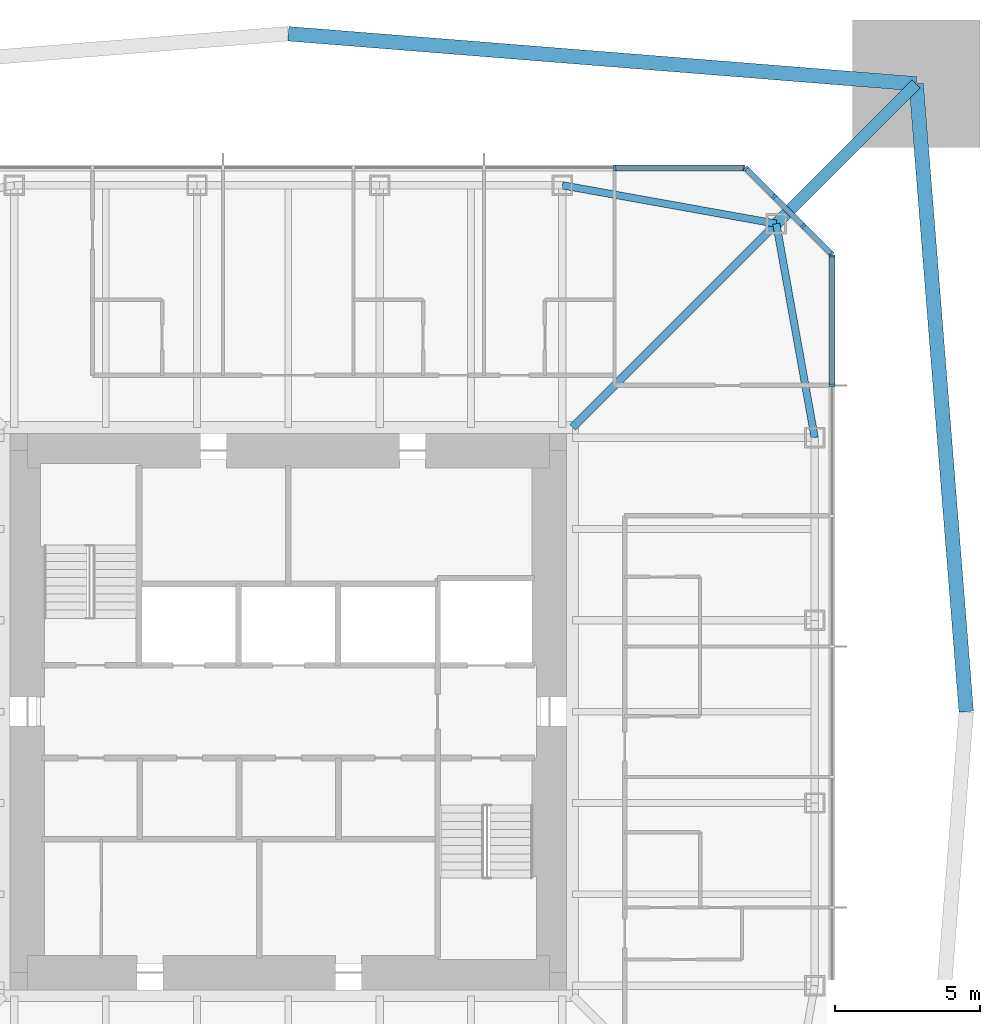
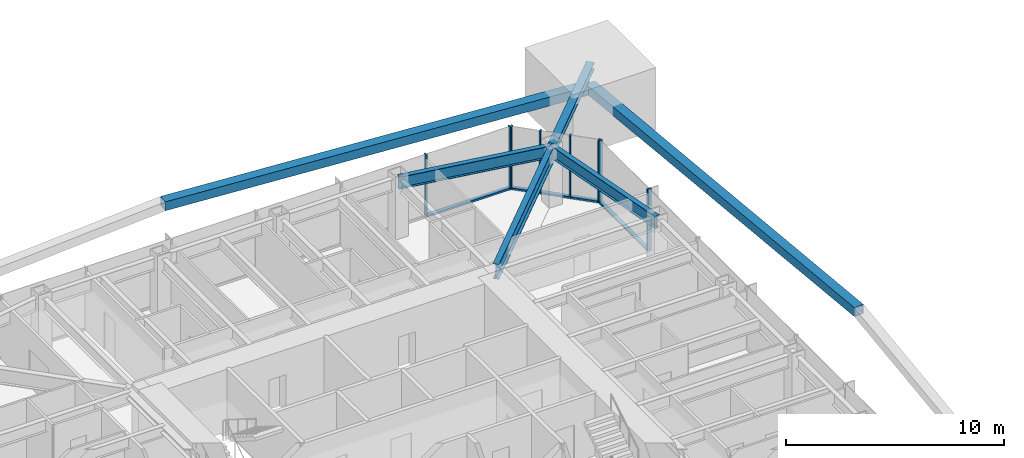
# One storey, part 6 of 13: 16 members, 3 beams, 3 elements without a shape of their own.
"""IFC4 building model written with IfcOpenShell, lengths in metres."""

from ifc_helpers import new_model, si_unit, direction, frame, origin, origin_2d, place, context, subcontext, project, spatial, rectangle, hollow_rectangle, i_section, extrude, material, material_profile, profile_set, type_object, element, aggregate, save


model = new_model("IFC4")

# Units and contexts
model_context = context("Model", 3, precision=1e-05, world=origin(), true_north=direction((0.0, 1.0)))
body_context = subcontext(model_context, "Body", "Model", "MODEL_VIEW")
ifc_project = project(units=[si_unit("LENGTHUNIT", "METRE"), si_unit("AREAUNIT", "SQUARE_METRE"), si_unit("VOLUMEUNIT", "CUBIC_METRE"), si_unit("PLANEANGLEUNIT", "RADIAN"), si_unit("MASSUNIT", "GRAM", prefix="KILO")], contexts=[model_context])

# Site, building, storey
site_placement = place(None, origin())
site = spatial("IfcSite", under=ifc_project, at=site_placement, CompositionType="ELEMENT")
building_placement = place(site_placement, origin())
building = spatial("IfcBuilding", under=site, at=building_placement, Name="Iwan Alto Co-Living Towers", CompositionType="ELEMENT")
storey_placement = place(building_placement, frame((0.0, 0.0, 160.0)))
storey = spatial("IfcBuildingStorey", under=building, at=storey_placement, Name="L43", CompositionType="ELEMENT", Elevation=160.0)

# Curtain wall, members
ifc_material_1 = material(Name="Bronze aluminium unitised frame", Category="aluminium")
curtain_wall_type_1 = type_object("IfcCurtainWallType", Name="CURTAIN WALL CW-A", PredefinedType="NOTDEFINED", material=ifc_material_1)
curtain_wall_1_placement = place(storey_placement, origin())
curtain_wall_1 = element("IfcCurtainWall", 1, at=curtain_wall_1_placement, inside=storey, type_object=curtain_wall_type_1, Name="T1 curtain wall E L43", PredefinedType="NOTDEFINED")
ifc_material_2 = material(Name="Aluminium 6063-T6 bronze anodised", Category="aluminium")
ifc_material_profile_1 = material_profile(ifc_material_2, rectangle(XDim=0.199951171875, YDim=0.080078125, at=origin_2d()), Name="AL 80X200")
ifc_profile_set_1 = profile_set([ifc_material_profile_1], Name="Aluminium 6063-T6 bronze anodised")
member_type_1 = type_object("IfcMemberType", Name="CW-A MULLION 80X200", PredefinedType="MULLION", material=ifc_profile_set_1)
member_1_placement = place(storey_placement, frame((18.75, 11.25, 0.0), z_axis=(0.0, 0.0, 1.0), x_axis=(-1.0, 0.0, 0.0)))
member_1 = element("IfcMember", 2, at=member_1_placement, type_object=member_type_1, Name="CW-A mullion 7", PredefinedType="MULLION", context=body_context, shape_type="SweptSolid", body=[
    extrude(rectangle(XDim=0.199951171875, YDim=0.080078125, at=origin_2d()), origin(), (0.0, 0.0, 1.0), 3.5),
])
member_2_placement = place(storey_placement, frame((18.75, 15.7099609375, 0.0), z_axis=(0.0, 0.0, 1.0), x_axis=(-1.0, 0.0, 0.0)))
member_2 = element("IfcMember", 3, at=member_2_placement, type_object=member_type_1, Name="CW-A mullion 8", PredefinedType="MULLION", context=body_context, shape_type="SweptSolid", body=[
    extrude(rectangle(XDim=0.199951171875, YDim=0.080078125, at=origin_2d()), origin(), (0.0, 0.0, 1.0), 3.5),
])

curtain_wall_2_placement = place(storey_placement, origin())
curtain_wall_2 = element("IfcCurtainWall", 4, at=curtain_wall_2_placement, inside=storey, type_object=curtain_wall_type_1, Name="T1 curtain wall N L43", PredefinedType="NOTDEFINED")
member_3_placement = place(storey_placement, frame((15.7099609375, 18.75, 0.0), z_axis=(0.0, 0.0, 1.0), x_axis=(0.0, -1.0, 0.0)))
member_3 = element("IfcMember", 5, at=member_3_placement, type_object=member_type_1, Name="CW-A mullion 1", PredefinedType="MULLION", context=body_context, shape_type="SweptSolid", body=[
    extrude(rectangle(XDim=0.199951171875, YDim=0.080078125, at=origin_2d()), origin(), (0.0, 0.0, 1.0), 3.5),
])
member_4_placement = place(storey_placement, frame((11.25, 18.75, 0.0), z_axis=(0.0, 0.0, 1.0), x_axis=(0.0, -1.0, 0.0)))
member_4 = element("IfcMember", 6, at=member_4_placement, type_object=member_type_1, Name="CW-A mullion 2", PredefinedType="MULLION", context=body_context, shape_type="SweptSolid", body=[
    extrude(rectangle(XDim=0.199951171875, YDim=0.080078125, at=origin_2d()), origin(), (0.0, 0.0, 1.0), 3.5),
])

# Member
ifc_material_3 = material(Name="Aluminium 6063-T6 bronze anodised", Category="aluminium")
ifc_material_profile_2 = material_profile(ifc_material_3, rectangle(XDim=0.199951171875, YDim=0.10009765625, at=origin_2d()), Name="AL 200X100")
ifc_profile_set_2 = profile_set([ifc_material_profile_2], Name="Aluminium 6063-T6 bronze anodised")
member_type_2 = type_object("IfcMemberType", Name="CW-A TRANSOM 200X100", PredefinedType="USERDEFINED", material=ifc_profile_set_2)
member_5_placement = place(storey_placement, frame((18.75, 11.2900390625, 0.050048828125), z_axis=(0.0, 1.0, 0.0), x_axis=(-1.0, 0.0, 0.0)))
member_5 = element("IfcMember", 7, at=member_5_placement, type_object=member_type_2, Name="CW-A transom 7.1", ObjectType="TRANSOM", PredefinedType="USERDEFINED", context=body_context, shape_type="SweptSolid", body=[
    extrude(rectangle(XDim=0.199951171875, YDim=0.10009765625, at=origin_2d()), origin(), (0.0, 0.0, 1.0), 4.3798828125),
])

aggregate(curtain_wall_1, [member_1, member_2, member_5])

member_6_placement = place(storey_placement, frame((15.669921875, 18.75, 0.050048828125), z_axis=(-1.0, 0.0, 0.0), x_axis=(0.0, -1.0, 0.0)))
member_6 = element("IfcMember", 8, at=member_6_placement, type_object=member_type_2, Name="CW-A transom 1.1", ObjectType="TRANSOM", PredefinedType="USERDEFINED", context=body_context, shape_type="SweptSolid", body=[
    extrude(rectangle(XDim=0.199951171875, YDim=0.10009765625, at=origin_2d()), origin(), (0.0, 0.0, 1.0), 4.3798828125),
])

aggregate(curtain_wall_2, [member_3, member_4, member_6])

# Curtain wall, members
ifc_material_4 = material(Name="Bronze aluminium unitised frame", Category="aluminium")
curtain_wall_type_2 = type_object("IfcCurtainWallType", Name="CURTAIN WALL CW-B", PredefinedType="NOTDEFINED", material=ifc_material_4)
curtain_wall_3_placement = place(storey_placement, origin())
curtain_wall_3 = element("IfcCurtainWall", 9, at=curtain_wall_3_placement, inside=storey, type_object=curtain_wall_type_2, Name="T1 chamfer curtain wall NE L43", PredefinedType="NOTDEFINED")
ifc_material_5 = material(Name="Aluminium 6063-T6 bronze anodised", Category="aluminium")
ifc_material_profile_3 = material_profile(ifc_material_5, rectangle(XDim=0.199951171875, YDim=0.080078125, at=origin_2d()), Name="AL 80X200")
ifc_profile_set_3 = profile_set([ifc_material_profile_3], Name="Aluminium 6063-T6 bronze anodised")
member_type_3 = type_object("IfcMemberType", Name="CW-B MULLION 80X200", PredefinedType="MULLION", material=ifc_profile_set_3)
member_7_placement = place(storey_placement, frame((18.7216796875, 15.7783203125, 0.0), z_axis=(0.0, 0.0, 1.0), x_axis=(-0.707106781187, -0.707106781187, 0.0)))
member_7 = element("IfcMember", 10, at=member_7_placement, type_object=member_type_3, Name="CW-B mullion 1", PredefinedType="MULLION", context=body_context, shape_type="SweptSolid", body=[
    extrude(rectangle(XDim=0.199951171875, YDim=0.080078125, at=origin_2d()), origin(), (0.0, 0.0, 1.0), 3.5),
])
member_8_placement = place(storey_placement, frame((17.75, 16.75, 0.0), z_axis=(0.0, 0.0, 1.0), x_axis=(-0.707106781187, -0.707106781187, 0.0)))
member_8 = element("IfcMember", 11, at=member_8_placement, type_object=member_type_3, Name="CW-B mullion 2", PredefinedType="MULLION", context=body_context, shape_type="SweptSolid", body=[
    extrude(rectangle(XDim=0.199951171875, YDim=0.080078125, at=origin_2d()), origin(), (0.0, 0.0, 1.0), 3.5),
])
member_9_placement = place(storey_placement, frame((16.75, 17.75, 0.0), z_axis=(0.0, 0.0, 1.0), x_axis=(-0.707106781187, -0.707106781187, 0.0)))
member_9 = element("IfcMember", 12, at=member_9_placement, type_object=member_type_3, Name="CW-B mullion 3", PredefinedType="MULLION", context=body_context, shape_type="SweptSolid", body=[
    extrude(rectangle(XDim=0.199951171875, YDim=0.080078125, at=origin_2d()), origin(), (0.0, 0.0, 1.0), 3.5),
])
member_10_placement = place(storey_placement, frame((15.7783203125, 18.7216796875, 0.0), z_axis=(0.0, 0.0, 1.0), x_axis=(-0.707106781187, -0.707106781187, 0.0)))
member_10 = element("IfcMember", 13, at=member_10_placement, type_object=member_type_3, Name="CW-B mullion 4", PredefinedType="MULLION", context=body_context, shape_type="SweptSolid", body=[
    extrude(rectangle(XDim=0.199951171875, YDim=0.080078125, at=origin_2d()), origin(), (0.0, 0.0, 1.0), 3.5),
])
ifc_material_6 = material(Name="Aluminium 6063-T6 bronze anodised", Category="aluminium")
ifc_material_profile_4 = material_profile(ifc_material_6, rectangle(XDim=0.199951171875, YDim=0.10009765625, at=origin_2d()), Name="AL 200X100")
ifc_profile_set_4 = profile_set([ifc_material_profile_4], Name="Aluminium 6063-T6 bronze anodised")
member_type_4 = type_object("IfcMemberType", Name="CW-B TRANSOM 200X100", PredefinedType="USERDEFINED", material=ifc_profile_set_4)
member_11_placement = place(storey_placement, frame((18.693359375, 15.806640625, 0.050048828125), z_axis=(-0.707106781187, 0.707106781187, 0.0), x_axis=(-0.707106781187, -0.707106781187, 0.0)))
member_11 = element("IfcMember", 14, at=member_11_placement, type_object=member_type_4, Name="CW-B transom 1.1", ObjectType="TRANSOM", PredefinedType="USERDEFINED", context=body_context, shape_type="SweptSolid", body=[
    extrude(rectangle(XDim=0.199951171875, YDim=0.10009765625, at=origin_2d()), origin(), (0.0, 0.0, 1.0), 1.2939453125),
])
member_12_placement = place(storey_placement, frame((17.7216796875, 16.7783203125, 0.050048828125), z_axis=(-0.707106781187, 0.707106781187, 0.0), x_axis=(-0.707106781187, -0.707106781187, 0.0)))
member_12 = element("IfcMember", 15, at=member_12_placement, type_object=member_type_4, Name="CW-B transom 2.1", ObjectType="TRANSOM", PredefinedType="USERDEFINED", context=body_context, shape_type="SweptSolid", body=[
    extrude(rectangle(XDim=0.199951171875, YDim=0.10009765625, at=origin_2d()), origin(), (0.0, 0.0, 1.0), 1.334228515625),
])
member_13_placement = place(storey_placement, frame((16.7216796875, 17.7783203125, 0.050048828125), z_axis=(-0.707106781187, 0.707106781187, 0.0), x_axis=(-0.707106781187, -0.707106781187, 0.0)))
member_13 = element("IfcMember", 16, at=member_13_placement, type_object=member_type_4, Name="CW-B transom 3.1", ObjectType="TRANSOM", PredefinedType="USERDEFINED", context=body_context, shape_type="SweptSolid", body=[
    extrude(rectangle(XDim=0.199951171875, YDim=0.10009765625, at=origin_2d()), origin(), (0.0, 0.0, 1.0), 1.2939453125),
])
aggregate(curtain_wall_3, [member_7, member_8, member_9, member_10, member_11, member_12, member_13])

# Beams
ifc_material_7 = material(Name="Steel ASTM A992 Gr 50", Category="steel")
ifc_material_profile_5 = material_profile(ifc_material_7, i_section(OverallWidth=0.2919921875, OverallDepth=0.8408203125, WebThickness=0.0146484375, FlangeThickness=0.021728515625, at=origin_2d()), Name="W33X130")
ifc_profile_set_5 = profile_set([ifc_material_profile_5], Name="Steel ASTM A992 Gr 50")
beam_type_1 = type_object("IfcBeamType", Name="T1 CORNER GIRDER W33X130", PredefinedType="BEAM", material=ifc_profile_set_5)
beam_placement = place(storey_placement, frame((16.82568359375, 16.82568359375, 2.849609375), z_axis=(-0.707106781187, -0.707106781187, 0.0), x_axis=(0.707106781187, -0.707106781187, 0.0)))
element("IfcBeam", 17, at=beam_placement, inside=storey, type_object=beam_type_1, Name="T1 corner girder CNE L44", PredefinedType="BEAM", context=body_context, shape_type="SweptSolid", body=[
    extrude(i_section(OverallWidth=0.2919921875, OverallDepth=0.8408203125, WebThickness=0.0146484375, FlangeThickness=0.021728515625, at=origin_2d()), origin(), (0.0, 0.0, 1.0), 9.936767578125),
])
ifc_material_8 = material(Name="Steel ASTM A992 Gr 50", Category="steel")
ifc_material_profile_6 = material_profile(ifc_material_8, i_section(OverallWidth=0.25390625, OverallDepth=0.683349609375, WebThickness=0.012451171875, FlangeThickness=0.018798828125, at=origin_2d()), Name="W27X94")
ifc_profile_set_6 = profile_set([ifc_material_profile_6], Name="Steel ASTM A992 Gr 50")
beam_type_2 = type_object("IfcBeamType", Name="T1 EDGE BEAM W27X94", PredefinedType="BEAM", material=ifc_profile_set_6)
for number, where, z_axis, x_axis, name in (
    (18, (18.14990234375, 9.449951171875, 2.928466796875), (-0.17671181143, 0.98426263553, 0.0), (-0.98426263553, -0.17671181143, 0.0), "T1 edge beam E4 L44"),
    (19, (16.82568359375, 16.82568359375, 2.928466796875), (-0.98426263553, 0.17671181143, 0.0), (-0.17671181143, -0.98426263553, 0.0), "T1 edge beam CNE L44"),
):
    element("IfcBeam", number, at=place(storey_placement, frame(where, z_axis=z_axis, x_axis=x_axis)), inside=storey, type_object=beam_type_2, Name=name, PredefinedType="BEAM", context=body_context, shape_type="SweptSolid", body=[
        extrude(i_section(OverallWidth=0.25390625, OverallDepth=0.683349609375, WebThickness=0.012451171875, FlangeThickness=0.018798828125, at=origin_2d()), origin(), (0.0, 0.0, 1.0), 7.49365234375),
    ])

# Members
ifc_material_9 = material(Name="Steel ASTM A992 Gr 50", Category="steel")
ifc_material_profile_7 = material_profile(ifc_material_9, i_section(OverallWidth=0.393798828125, OverallDepth=0.3759765625, WebThickness=0.017333984375, FlangeThickness=0.027587890625, at=origin_2d()), Name="W14X145")
ifc_profile_set_7 = profile_set([ifc_material_profile_7], Name="Steel ASTM A992 Gr 50")
member_type_5 = type_object("IfcMemberType", Name="T1 MEGA COLUMN FLOOR TIE W14X145", PredefinedType="STRUT", material=ifc_profile_set_7)
member_14_placement = place(storey_placement, frame((21.64990234375, 21.64990234375, 3.08203125), z_axis=(-0.707106781187, -0.707106781187, 0.0), x_axis=(0.707106781187, -0.707106781187, 0.0)))
element("IfcMember", 20, at=member_14_placement, inside=storey, type_object=member_type_5, Name="T1 mega column floor tie NE L44", PredefinedType="STRUT", context=body_context, shape_type="SweptSolid", body=[
    extrude(i_section(OverallWidth=0.393798828125, OverallDepth=0.3759765625, WebThickness=0.017333984375, FlangeThickness=0.027587890625, at=origin_2d()), origin(), (0.0, 0.0, 1.0), 6.822509765625),
])
ifc_material_10 = material(Name="Steel ASTM A572 Gr 50", Category="steel")
ifc_material_profile_8 = material_profile(ifc_material_10, hollow_rectangle(XDim=0.5, YDim=0.5, WallThickness=0.031982421875, at=origin_2d()), Name="BOX 500X500X32")
ifc_profile_set_8 = profile_set([ifc_material_profile_8], Name="Steel ASTM A572 Gr 50")
member_type_6 = type_object("IfcMemberType", Name="T1 MEGA TIE BOX 500X500X32", PredefinedType="STRUT", material=ifc_profile_set_8)
for number, where, z_axis, x_axis, name in (
    (21, (23.37548828125, 0.0, 1.85498046875), (-0.07945212803, 0.996838682712, 0.0), (-0.996838682712, -0.07945212803, 0.0), "T1 mega tie Z3A E 2"),
    (22, (21.64990234375, 21.64990234375, 1.85498046875), (-0.996838682712, 0.07945212803, 0.0), (-0.07945212803, -0.996838682712, 0.0), "T1 mega tie Z3A N 1"),
):
    element("IfcMember", number, at=place(storey_placement, frame(where, z_axis=z_axis, x_axis=x_axis)), inside=storey, type_object=member_type_6, Name=name, PredefinedType="STRUT", context=body_context, shape_type="SweptSolid", body=[
        extrude(hollow_rectangle(XDim=0.5, YDim=0.5, WallThickness=0.031982421875, at=origin_2d()), origin(), (0.0, 0.0, 1.0), 21.718505859375),
    ])

save(model, "model.ifc")
